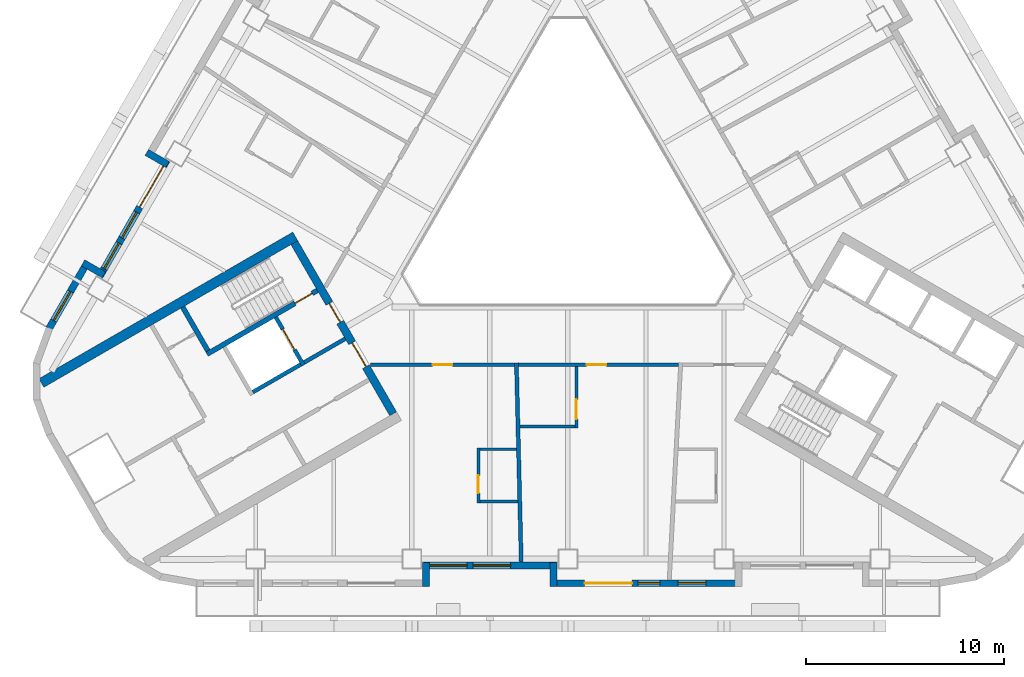
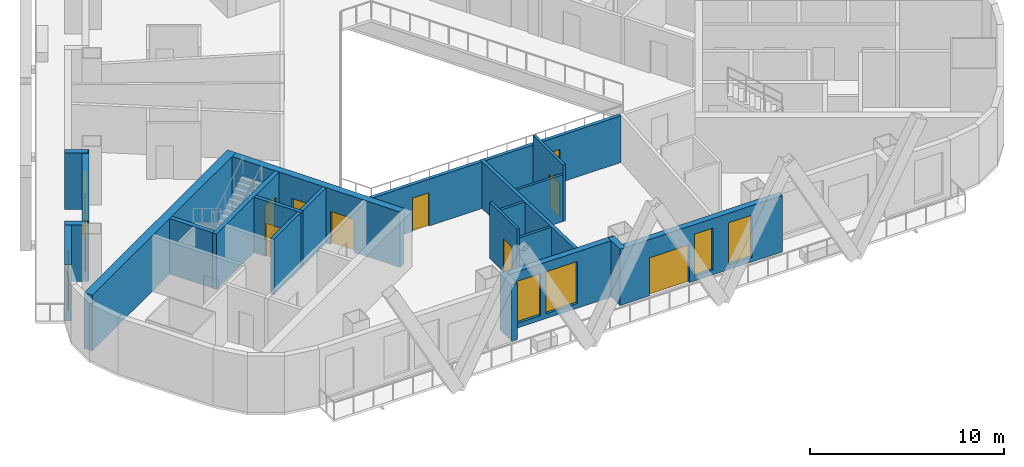
# One storey, part 3 of 13: 23 walls, 10 doors, 7 windows, 17 openings.
"""IFC4 building model written with IfcOpenShell, lengths in metres."""

from ifc_helpers import new_model, si_unit, direction, frame, frame_2d, origin, place, context, subcontext, project, spatial, rectangle, extrude, material, layer, layer_set, type_object, element, fill, save


model = new_model("IFC4")

# Units and contexts
model_context = context("Model", 3, precision=1e-05, world=origin(), true_north=direction((0.0, 1.0)))
body_context = subcontext(model_context, "Body", "Model", "MODEL_VIEW")
ifc_project = project(units=[si_unit("LENGTHUNIT", "METRE"), si_unit("AREAUNIT", "SQUARE_METRE"), si_unit("VOLUMEUNIT", "CUBIC_METRE"), si_unit("PLANEANGLEUNIT", "RADIAN"), si_unit("MASSUNIT", "GRAM", prefix="KILO")], contexts=[model_context])

# Site, building, storey
site_placement = place(None, origin())
site = spatial("IfcSite", under=ifc_project, at=site_placement, CompositionType="ELEMENT")
building_placement = place(site_placement, origin())
building = spatial("IfcBuilding", under=site, at=building_placement, Name="Apuvela Tower Hotel", CompositionType="ELEMENT")
storey_placement = place(building_placement, frame((0.0, 0.0, 83.5)))
storey = spatial("IfcBuildingStorey", under=building, at=storey_placement, Name="L18", CompositionType="ELEMENT", Elevation=83.5)

# Wall, openings, doors
ifc_material_1 = material(Name="Concrete C50/60", Category="concrete")
ifc_layer_1 = layer(ifc_material_1, 0.39990234375)
ifc_layer_set_1 = layer_set([ifc_layer_1], Name="COR-WALL-CORE-400")
wall_type_1 = type_object("IfcWallType", Name="COR-WALL-CORE-400", PredefinedType="SHEAR", material=ifc_layer_set_1)
wall_1_placement = place(storey_placement, frame((-13.844970703125, -2.219970703125, 0.0), z_axis=(0.0, 0.0, 1.0), x_axis=(0.500004234368, -0.866022959057, 0.0)))
wall_1 = element("IfcWall", 1, at=wall_1_placement, inside=storey, type_object=wall_type_1, Name="Core wall SW", PredefinedType="SHEAR", context=body_context, shape_type="SweptSolid", body=[
    extrude(rectangle(XDim=10.0, YDim=0.39990234375, at=frame_2d((5.0, 0.0))), origin(), (0.0, 0.0, 1.0), 3.5),
])
opening_1_placement = place(wall_1_placement, frame((3.550048828125, 0.0, 0.0)))
opening_1 = element("IfcOpeningElement", 2, at=opening_1_placement, cuts=wall_1, Name="Opening W-FD", PredefinedType="OPENING", context=body_context, shape_type="SweptSolid", body=[
    extrude(rectangle(XDim=1.10009765625, YDim=2.10009765625, at=frame_2d((0.550048828125, 1.050048828125))), frame((0.0, 0.2099609375, 0.0), z_axis=(0.0, -1.0, 0.0), x_axis=(1.0, 0.0, 0.0)), (0.0, 0.0, 1.0), 0.419921875),
])
opening_2_placement = place(wall_1_placement, frame((5.85009765625, 0.0, 0.0)))
opening_2 = element("IfcOpeningElement", 3, at=opening_2_placement, cuts=wall_1, Name="Opening W-GD", PredefinedType="OPENING", context=body_context, shape_type="SweptSolid", body=[
    extrude(rectangle(XDim=1.39990234375, YDim=2.10009765625, at=frame_2d((0.699951171875, 1.050048828125))), frame((0.0, 0.2099609375, 0.0), z_axis=(0.0, -1.0, 0.0), x_axis=(1.0, 0.0, 0.0)), (0.0, 0.0, 1.0), 0.419921875),
])
ifc_material_2 = material(Name="Steel fire door, powder coated", Category="steel")
door_type_1 = type_object("IfcDoorType", Name="COR-FD-1100", OperationType="NOTDEFINED", PredefinedType="DOOR", material=ifc_material_2)
door_1_placement = place(opening_1_placement, frame((1.10009765625, 0.0, 0.0), z_axis=(0.0, 0.0, 1.0), x_axis=(-1.0, 0.0, 0.0)))
door_1 = element("IfcDoor", 4, at=door_1_placement, inside=storey, type_object=door_type_1, Name="Firefighting lobby door W-FD", OperationType="SINGLE_SWING_LEFT", OverallHeight=2.10009765625, OverallWidth=1.10009765625, PredefinedType="DOOR", context=body_context, shape_type="SweptSolid", body=[
    extrude(rectangle(XDim=1.10009765625, YDim=2.10009765625, at=frame_2d((0.550048828125, 1.050048828125))), frame((0.0, 0.02490234375, 0.0), z_axis=(0.0, -1.0, 0.0), x_axis=(1.0, 0.0, 0.0)), (0.0, 0.0, 1.0), 0.050048828125),
])
fill(opening_1, door_1)
ifc_material_3 = material(Name="Glazed steel fire door", Category="steel")
door_type_2 = type_object("IfcDoorType", Name="COR-GD-1400", OperationType="DOUBLE_DOOR_SINGLE_SWING", PredefinedType="DOOR", material=ifc_material_3)
door_2_placement = place(opening_2_placement, frame((1.39990234375, 0.0, 0.0), z_axis=(0.0, 0.0, 1.0), x_axis=(-1.0, 0.0, 0.0)))
door_2 = element("IfcDoor", 5, at=door_2_placement, inside=storey, type_object=door_type_2, Name="Lift lobby door W-GD", OperationType="DOUBLE_DOOR_SINGLE_SWING", OverallHeight=2.10009765625, OverallWidth=1.39990234375, PredefinedType="DOOR", context=body_context, shape_type="SweptSolid", body=[
    extrude(rectangle(XDim=1.39990234375, YDim=2.10009765625, at=frame_2d((0.699951171875, 1.050048828125))), frame((0.0, 0.02490234375, 0.0), z_axis=(0.0, -1.0, 0.0), x_axis=(1.0, 0.0, 0.0)), (0.0, 0.0, 1.0), 0.050048828125),
])
fill(opening_2, door_2)

# Wall
ifc_layer_2 = layer(ifc_material_1, 0.5)
ifc_layer_set_2 = layer_set([ifc_layer_2], Name="COR-WALL-CORE-500")
wall_type_2 = type_object("IfcWallType", Name="COR-WALL-CORE-500", PredefinedType="SHEAR", material=ifc_layer_set_2)
wall_2_placement = place(storey_placement, frame((-13.796630859375, -1.9033203125, 0.0), z_axis=(0.0, 0.0, 1.0), x_axis=(-0.866025009528, -0.500000682871, 0.0)))
element("IfcWall", 6, at=wall_2_placement, inside=storey, type_object=wall_type_2, Name="Core wall SW", PredefinedType="SHEAR", context=body_context, shape_type="SweptSolid", body=[
    extrude(rectangle(XDim=14.8369140625, YDim=0.5, at=frame_2d((7.41845703125, 0.0))), origin(), (0.0, 0.0, 1.0), 3.5),
])

# Wall, opening, door
ifc_layer_3 = layer(ifc_material_1, 0.199951171875)
ifc_layer_set_3 = layer_set([ifc_layer_3], Name="COR-WALL-SHAFT-200")
wall_type_3 = type_object("IfcWallType", Name="COR-WALL-SHAFT-200", PredefinedType="SHEAR", material=ifc_layer_set_3)
wall_3_placement = place(storey_placement, frame((-14.783203125, -5.99462890625, 0.0), z_axis=(0.0, 0.0, 1.0), x_axis=(0.49994636267, -0.866056369097, 0.0)))
wall_3 = element("IfcWall", 7, at=wall_3_placement, inside=storey, type_object=wall_type_3, Name="Shaft wall SW", PredefinedType="SHEAR", context=body_context, shape_type="SweptSolid", body=[
    extrude(rectangle(XDim=2.800048828125, YDim=0.199951171875, at=frame_2d((1.39990234375, 0.0))), origin(), (0.0, 0.0, 1.0), 3.5),
])
opening_3_placement = place(wall_3_placement, frame((0.699951171875, 0.0, 0.0)))
opening_3 = element("IfcOpeningElement", 8, at=opening_3_placement, cuts=wall_3, Name="Opening W-LD-FS2", PredefinedType="OPENING", context=body_context, shape_type="SweptSolid", body=[
    extrude(rectangle(XDim=1.199951171875, YDim=2.10009765625, at=frame_2d((0.60009765625, 1.050048828125))), frame((0.0, 0.10986328125, 0.0), z_axis=(0.0, -1.0, 0.0), x_axis=(1.0, 0.0, 0.0)), (0.0, 0.0, 1.0), 0.219970703125),
])
ifc_material_4 = material(Name="Stainless steel lift landing door", Category="steel")
door_type_3 = type_object("IfcDoorType", Name="COR-LD-1200", OperationType="DOUBLE_DOOR_SLIDING", PredefinedType="DOOR", material=ifc_material_4)
door_3_placement = place(opening_3_placement, origin())
door_3 = element("IfcDoor", 9, at=door_3_placement, inside=storey, type_object=door_type_3, Name="Lift landing door W-LD-FS2", OperationType="DOUBLE_DOOR_SLIDING", OverallHeight=2.10009765625, OverallWidth=1.199951171875, PredefinedType="DOOR", context=body_context, shape_type="SweptSolid", body=[
    extrude(rectangle(XDim=1.199951171875, YDim=2.10009765625, at=frame_2d((0.60009765625, 1.050048828125))), frame((0.0, 0.02490234375, 0.0), z_axis=(0.0, -1.0, 0.0), x_axis=(1.0, 0.0, 0.0)), (0.0, 0.0, 1.0), 0.050048828125),
])
fill(opening_3, door_3)

# Walls
wall_4_placement = place(storey_placement, frame((-13.519775390625, -8.383056640625, 0.0), z_axis=(0.0, 0.0, 1.0), x_axis=(-0.866034573852, -0.49998411664, 0.0)))
element("IfcWall", 10, at=wall_4_placement, inside=storey, type_object=wall_type_3, Name="Shaft wall SW", PredefinedType="SHEAR", context=body_context, shape_type="SweptSolid", body=[
    extrude(rectangle(XDim=2.7998046875, YDim=0.199951171875, at=frame_2d((1.39990234375, 0.0))), origin(), (0.0, 0.0, 1.0), 3.5),
])
wall_5_placement = place(storey_placement, frame((-11.26806640625, -7.0830078125, 0.0), z_axis=(0.0, 0.0, 1.0), x_axis=(-0.866050077142, -0.499957262057, 0.0)))
element("IfcWall", 11, at=wall_5_placement, inside=storey, type_object=wall_type_3, Name="Shaft wall SW", PredefinedType="SHEAR", context=body_context, shape_type="SweptSolid", body=[
    extrude(rectangle(XDim=2.400146484375, YDim=0.199951171875, at=frame_2d((1.2001953125, 0.0))), origin(), (0.0, 0.0, 1.0), 3.5),
])

# Wall, opening, door
ifc_layer_4 = layer(ifc_material_1, 0.25)
ifc_layer_set_4 = layer_set([ifc_layer_4], Name="COR-WALL-STAIR-250")
wall_type_4 = type_object("IfcWallType", Name="COR-WALL-STAIR-250", PredefinedType="SHEAR", material=ifc_layer_set_4)
wall_6_placement = place(storey_placement, frame((-12.6806640625, -4.636474609375, 0.0), z_axis=(0.0, 0.0, 1.0), x_axis=(-0.866021702275, -0.500006411147, 0.0)))
wall_6 = element("IfcWall", 12, at=wall_6_placement, inside=storey, type_object=wall_type_4, Name="Stair wall SW", PredefinedType="SHEAR", context=body_context, shape_type="SweptSolid", body=[
    extrude(rectangle(XDim=6.4501953125, YDim=0.25, at=frame_2d((3.22509765625, 0.0))), origin(), (0.0, 0.0, 1.0), 3.5),
])
opening_4_placement = place(wall_6_placement, frame((0.300048828125, 0.0, 0.0)))
opening_4 = element("IfcOpeningElement", 13, at=opening_4_placement, cuts=wall_6, Name="Opening W-SD", PredefinedType="OPENING", context=body_context, shape_type="SweptSolid", body=[
    extrude(rectangle(XDim=1.0, YDim=2.10009765625, at=frame_2d((0.5, 1.050048828125))), frame((0.0, 0.135009765625, 0.0), z_axis=(0.0, -1.0, 0.0), x_axis=(1.0, 0.0, 0.0)), (0.0, 0.0, 1.0), 0.27001953125),
])
door_type_4 = type_object("IfcDoorType", Name="COR-SD-1000", OperationType="NOTDEFINED", PredefinedType="DOOR", material=ifc_material_2)
door_4_placement = place(opening_4_placement, frame((1.0, 0.0, 0.0), z_axis=(0.0, 0.0, 1.0), x_axis=(-1.0, 0.0, 0.0)))
door_4 = element("IfcDoor", 14, at=door_4_placement, inside=storey, type_object=door_type_4, Name="Stair door W-SD", OperationType="SINGLE_SWING_LEFT", OverallHeight=2.10009765625, OverallWidth=1.0, PredefinedType="DOOR", context=body_context, shape_type="SweptSolid", body=[
    extrude(rectangle(XDim=1.0, YDim=2.10009765625, at=frame_2d((0.5, 1.050048828125))), frame((0.0, 0.02490234375, 0.0), z_axis=(0.0, -1.0, 0.0), x_axis=(1.0, 0.0, 0.0)), (0.0, 0.0, 1.0), 0.050048828125),
])
fill(opening_4, door_4)

# Walls
wall_7_placement = place(storey_placement, frame((-19.49560546875, -5.482421875, 0.0), z_axis=(0.0, 0.0, 1.0), x_axis=(0.499990435942, -0.866030925526, 0.0)))
element("IfcWall", 15, at=wall_7_placement, inside=storey, type_object=wall_type_4, Name="Stair wall SW", PredefinedType="SHEAR", context=body_context, shape_type="SweptSolid", body=[
    extrude(rectangle(XDim=2.5498046875, YDim=0.25, at=frame_2d((1.27490234375, 0.0))), origin(), (0.0, 0.0, 1.0), 3.5),
])
ifc_material_5 = material(Name="Concrete C40/50, dark pigmented precast panel", Category="concrete")
ifc_layer_5 = layer(ifc_material_5, 0.35009765625)
ifc_layer_set_5 = layer_set([ifc_layer_5], Name="ENV-WALL-350")
wall_type_5 = type_object("IfcWallType", Name="ENV-WALL-350", PredefinedType="SOLIDWALL", material=ifc_layer_set_5)
wall_8_placement = place(storey_placement, frame((-21.3125, 2.345703125, 0.0), z_axis=(0.0, 0.0, 1.0), x_axis=(0.866005645448, -0.500034220881, 0.0)))
element("IfcWall", 16, at=wall_8_placement, inside=storey, type_object=wall_type_5, Name="External wall L18-06", PredefinedType="SOLIDWALL", context=body_context, shape_type="SweptSolid", body=[
    extrude(rectangle(XDim=1.22021484375, YDim=0.35009765625, at=frame_2d((0.610107421875, 0.0))), origin(), (0.0, 0.0, 1.0), 3.550048828125),
])

# Wall, openings, door, windows
wall_9_placement = place(storey_placement, frame((-20.30908203125, 1.93359375, 0.0), z_axis=(0.0, 0.0, 1.0), x_axis=(-0.499992114976, -0.866029956157, 0.0)))
wall_9 = element("IfcWall", 17, at=wall_9_placement, inside=storey, type_object=wall_type_5, Name="External wall L18-07", PredefinedType="SOLIDWALL", context=body_context, shape_type="SweptSolid", body=[
    extrude(rectangle(XDim=6.73974609375, YDim=0.35009765625, at=frame_2d((3.369873046875, 0.0))), origin(), (0.0, 0.0, 1.0), 3.550048828125),
])
opening_5_placement = place(wall_9_placement, frame((0.320068359375, 0.0, 0.0)))
opening_5 = element("IfcOpeningElement", 18, at=opening_5_placement, cuts=wall_9, Name="Opening BD24", PredefinedType="OPENING", context=body_context, shape_type="SweptSolid", body=[
    extrude(rectangle(XDim=2.39990234375, YDim=2.39990234375, at=frame_2d((1.199951171875, 1.199951171875))), frame((0.0, 0.18505859375, 0.0), z_axis=(0.0, -1.0, 0.0), x_axis=(1.0, 0.0, 0.0)), (0.0, 0.0, 1.0), 0.3701171875),
])
opening_6_placement = place(wall_9_placement, frame((3.02001953125, 0.0, 0.300048828125)))
opening_6 = element("IfcOpeningElement", 19, at=opening_6_placement, cuts=wall_9, Name="Opening WN15", PredefinedType="OPENING", context=body_context, shape_type="SweptSolid", body=[
    extrude(rectangle(XDim=1.5, YDim=2.64990234375, at=frame_2d((0.75, 1.324951171875))), frame((0.0, 0.18505859375, 0.0), z_axis=(0.0, -1.0, 0.0), x_axis=(1.0, 0.0, 0.0)), (0.0, 0.0, 1.0), 0.3701171875),
])
opening_7_placement = place(wall_9_placement, frame((4.820068359375, 0.0, 0.300048828125)))
opening_7 = element("IfcOpeningElement", 20, at=opening_7_placement, cuts=wall_9, Name="Opening WN15", PredefinedType="OPENING", context=body_context, shape_type="SweptSolid", body=[
    extrude(rectangle(XDim=1.5, YDim=2.64990234375, at=frame_2d((0.75, 1.324951171875))), frame((0.0, 0.18505859375, 0.0), z_axis=(0.0, -1.0, 0.0), x_axis=(1.0, 0.0, 0.0)), (0.0, 0.0, 1.0), 0.3701171875),
])
ifc_material_6 = material(Name="Aluminium 6063-T6, dark bronze anodised frame with dark tinted laminated glass", Category="aluminium")
door_type_5 = type_object("IfcDoorType", Name="ENV-DOOR-BALCONY-2400x2400", OperationType="SLIDING_TO_LEFT", PredefinedType="DOOR", material=ifc_material_6)
door_5_placement = place(opening_5_placement, frame((2.39990234375, 0.0, 0.0), z_axis=(0.0, 0.0, 1.0), x_axis=(-1.0, 0.0, 0.0)))
door_5 = element("IfcDoor", 21, at=door_5_placement, inside=storey, type_object=door_type_5, Name="Balcony door BD24", OperationType="SLIDING_TO_LEFT", OverallHeight=2.39990234375, OverallWidth=2.39990234375, PredefinedType="DOOR", context=body_context, shape_type="SweptSolid", body=[
    extrude(rectangle(XDim=2.39990234375, YDim=2.39990234375, at=frame_2d((1.199951171875, 1.199951171875))), frame((0.0, 0.02490234375, 0.0), z_axis=(0.0, -1.0, 0.0), x_axis=(1.0, 0.0, 0.0)), (0.0, 0.0, 1.0), 0.050048828125),
])
fill(opening_5, door_5)
ifc_material_7 = material(Name="Glass, dark tinted laminated insulated glazing unit", Category="glass")
window_type_1 = type_object("IfcWindowType", Name="ENV-WIN-1500x2650", PartitioningType="SINGLE_PANEL", PredefinedType="WINDOW", material=ifc_material_7)
window_1_placement = place(opening_6_placement, origin())
window_1 = element("IfcWindow", 22, at=window_1_placement, inside=storey, type_object=window_type_1, Name="Window WN15", OverallHeight=2.64990234375, OverallWidth=1.5, PartitioningType="SINGLE_PANEL", PredefinedType="WINDOW", context=body_context, shape_type="SweptSolid", body=[
    extrude(rectangle(XDim=1.5, YDim=2.64990234375, at=frame_2d((0.75, 1.324951171875))), frame((0.0, 0.030029296875, 0.0), z_axis=(0.0, -1.0, 0.0), x_axis=(1.0, 0.0, 0.0)), (0.0, 0.0, 1.0), 0.06005859375),
])
fill(opening_6, window_1)
window_2_placement = place(opening_7_placement, origin())
window_2 = element("IfcWindow", 23, at=window_2_placement, inside=storey, type_object=window_type_1, Name="Window WN15", OverallHeight=2.64990234375, OverallWidth=1.5, PartitioningType="SINGLE_PANEL", PredefinedType="WINDOW", context=body_context, shape_type="SweptSolid", body=[
    extrude(rectangle(XDim=1.5, YDim=2.64990234375, at=frame_2d((0.75, 1.324951171875))), frame((0.0, 0.030029296875, 0.0), z_axis=(0.0, -1.0, 0.0), x_axis=(1.0, 0.0, 0.0)), (0.0, 0.0, 1.0), 0.06005859375),
])
fill(opening_7, window_2)

# Wall
wall_10_placement = place(storey_placement, frame((-23.48095703125, -3.85009765625, 0.0), z_axis=(0.0, 0.0, 1.0), x_axis=(-0.866092288191, 0.499884134912, 0.0)))
element("IfcWall", 24, at=wall_10_placement, inside=storey, type_object=wall_type_5, Name="External wall L18-08", PredefinedType="SOLIDWALL", context=body_context, shape_type="SweptSolid", body=[
    extrude(rectangle(XDim=1.219970703125, YDim=0.35009765625, at=frame_2d((0.60986328125, 0.0))), origin(), (0.0, 0.0, 1.0), 3.550048828125),
])

# Wall, opening, window
wall_11_placement = place(storey_placement, frame((-24.298583984375, -3.17626953125, 0.0), z_axis=(0.0, 0.0, 1.0), x_axis=(-0.500028278809, -0.866009076391, 0.0)))
wall_11 = element("IfcWall", 25, at=wall_11_placement, inside=storey, type_object=wall_type_5, Name="External wall L18-09", PredefinedType="SOLIDWALL", context=body_context, shape_type="SweptSolid", body=[
    extrude(rectangle(XDim=3.915771484375, YDim=0.35009765625, at=frame_2d((1.9580078125, 0.0))), origin(), (0.0, 0.0, 1.0), 3.550048828125),
])
opening_8_placement = place(wall_11_placement, frame((1.750244140625, 0.0, 0.300048828125)))
opening_8 = element("IfcOpeningElement", 26, at=opening_8_placement, cuts=wall_11, Name="Opening WN17", PredefinedType="OPENING", context=body_context, shape_type="SweptSolid", body=[
    extrude(rectangle(XDim=1.699951171875, YDim=2.64990234375, at=frame_2d((0.85009765625, 1.324951171875))), frame((0.0, 0.18505859375, 0.0), z_axis=(0.0, -1.0, 0.0), x_axis=(1.0, 0.0, 0.0)), (0.0, 0.0, 1.0), 0.3701171875),
])
window_type_2 = type_object("IfcWindowType", Name="ENV-WIN-1700x2650", PartitioningType="SINGLE_PANEL", PredefinedType="WINDOW", material=ifc_material_7)
window_3_placement = place(opening_8_placement, origin())
window_3 = element("IfcWindow", 27, at=window_3_placement, inside=storey, type_object=window_type_2, Name="Window WN17", OverallHeight=2.64990234375, OverallWidth=1.699951171875, PartitioningType="SINGLE_PANEL", PredefinedType="WINDOW", context=body_context, shape_type="SweptSolid", body=[
    extrude(rectangle(XDim=1.699951171875, YDim=2.64990234375, at=frame_2d((0.85009765625, 1.324951171875))), frame((0.0, 0.030029296875, 0.0), z_axis=(0.0, -1.0, 0.0), x_axis=(1.0, 0.0, 0.0)), (0.0, 0.0, 1.0), 0.06005859375),
])
fill(opening_8, window_3)

# Wall
wall_12_placement = place(storey_placement, frame((-7.175048828125, -19.6298828125, 0.0), z_axis=(0.0, 0.0, 1.0), x_axis=(0.0, 1.0, 0.0)))
element("IfcWall", 28, at=wall_12_placement, inside=storey, type_object=wall_type_5, Name="External wall L18-18", PredefinedType="SOLIDWALL", context=body_context, shape_type="SweptSolid", body=[
    extrude(rectangle(XDim=1.219970703125, YDim=0.35009765625, at=frame_2d((0.60986328125, 0.0))), origin(), (0.0, 0.0, 1.0), 3.550048828125),
])

# Wall, openings, windows
wall_13_placement = place(storey_placement, frame((-7.320068359375, -18.554931640625, 0.0), z_axis=(0.0, 0.0, 1.0), x_axis=(1.0, 0.0, 0.0)))
wall_13 = element("IfcWall", 29, at=wall_13_placement, inside=storey, type_object=wall_type_5, Name="External wall L18-19", PredefinedType="SOLIDWALL", context=body_context, shape_type="SweptSolid", body=[
    extrude(rectangle(XDim=6.739990234375, YDim=0.35009765625, at=frame_2d((3.3701171875, 0.0))), origin(), (0.0, 0.0, 1.0), 3.550048828125),
])
opening_9_placement = place(wall_13_placement, frame((0.3203125, 0.0, 0.300048828125)))
opening_9 = element("IfcOpeningElement", 30, at=opening_9_placement, cuts=wall_13, Name="Opening WN19", PredefinedType="OPENING", context=body_context, shape_type="SweptSolid", body=[
    extrude(rectangle(XDim=1.89990234375, YDim=2.64990234375, at=frame_2d((0.949951171875, 1.324951171875))), frame((0.0, 0.18505859375, 0.0), z_axis=(0.0, -1.0, 0.0), x_axis=(1.0, 0.0, 0.0)), (0.0, 0.0, 1.0), 0.3701171875),
])
opening_10_placement = place(wall_13_placement, frame((2.5205078125, 0.0, 0.300048828125)))
opening_10 = element("IfcOpeningElement", 31, at=opening_10_placement, cuts=wall_13, Name="Opening WN19", PredefinedType="OPENING", context=body_context, shape_type="SweptSolid", body=[
    extrude(rectangle(XDim=1.89990234375, YDim=2.64990234375, at=frame_2d((0.949951171875, 1.324951171875))), frame((0.0, 0.18505859375, 0.0), z_axis=(0.0, -1.0, 0.0), x_axis=(1.0, 0.0, 0.0)), (0.0, 0.0, 1.0), 0.3701171875),
])
window_type_3 = type_object("IfcWindowType", Name="ENV-WIN-1900x2650", PartitioningType="SINGLE_PANEL", PredefinedType="WINDOW", material=ifc_material_7)
window_4_placement = place(opening_9_placement, origin())
window_4 = element("IfcWindow", 32, at=window_4_placement, inside=storey, type_object=window_type_3, Name="Window WN19", OverallHeight=2.64990234375, OverallWidth=1.89990234375, PartitioningType="SINGLE_PANEL", PredefinedType="WINDOW", context=body_context, shape_type="SweptSolid", body=[
    extrude(rectangle(XDim=1.89990234375, YDim=2.64990234375, at=frame_2d((0.949951171875, 1.324951171875))), frame((0.0, 0.030029296875, 0.0), z_axis=(0.0, -1.0, 0.0), x_axis=(1.0, 0.0, 0.0)), (0.0, 0.0, 1.0), 0.06005859375),
])
fill(opening_9, window_4)
window_5_placement = place(opening_10_placement, origin())
window_5 = element("IfcWindow", 33, at=window_5_placement, inside=storey, type_object=window_type_3, Name="Window WN19", OverallHeight=2.64990234375, OverallWidth=1.89990234375, PartitioningType="SINGLE_PANEL", PredefinedType="WINDOW", context=body_context, shape_type="SweptSolid", body=[
    extrude(rectangle(XDim=1.89990234375, YDim=2.64990234375, at=frame_2d((0.949951171875, 1.324951171875))), frame((0.0, 0.030029296875, 0.0), z_axis=(0.0, -1.0, 0.0), x_axis=(1.0, 0.0, 0.0)), (0.0, 0.0, 1.0), 0.06005859375),
])
fill(opening_10, window_5)

# Wall
wall_14_placement = place(storey_placement, frame((-0.72509765625, -18.409912109375, 0.0), z_axis=(0.0, 0.0, 1.0), x_axis=(0.0, -1.0, 0.0)))
element("IfcWall", 34, at=wall_14_placement, inside=storey, type_object=wall_type_5, Name="External wall L18-20", PredefinedType="SOLIDWALL", context=body_context, shape_type="SweptSolid", body=[
    extrude(rectangle(XDim=1.219970703125, YDim=0.35009765625, at=frame_2d((0.60986328125, 0.0))), origin(), (0.0, 0.0, 1.0), 3.550048828125),
])

# Wall, openings, door, windows
wall_15_placement = place(storey_placement, frame((-0.89990234375, -19.455078125, 0.0), z_axis=(0.0, 0.0, 1.0), x_axis=(1.0, 0.0, 0.0)))
wall_15 = element("IfcWall", 35, at=wall_15_placement, inside=storey, type_object=wall_type_5, Name="External wall L18-21", PredefinedType="SOLIDWALL", context=body_context, shape_type="SweptSolid", body=[
    extrude(rectangle(XDim=9.699951171875, YDim=0.35009765625, at=frame_2d((4.85009765625, 0.0))), origin(), (0.0, 0.0, 1.0), 3.550048828125),
])
opening_11_placement = place(wall_15_placement, frame((1.75, 0.0, 0.0)))
opening_11 = element("IfcOpeningElement", 36, at=opening_11_placement, cuts=wall_15, Name="Opening BD24", PredefinedType="OPENING", context=body_context, shape_type="SweptSolid", body=[
    extrude(rectangle(XDim=2.39990234375, YDim=2.39990234375, at=frame_2d((1.199951171875, 1.199951171875))), frame((0.0, 0.18505859375, 0.0), z_axis=(0.0, -1.0, 0.0), x_axis=(1.0, 0.0, 0.0)), (0.0, 0.0, 1.0), 0.3701171875),
])
opening_12_placement = place(wall_15_placement, frame((4.449951171875, 0.0, 0.300048828125)))
opening_12 = element("IfcOpeningElement", 37, at=opening_12_placement, cuts=wall_15, Name="Opening WN11", PredefinedType="OPENING", context=body_context, shape_type="SweptSolid", body=[
    extrude(rectangle(XDim=1.10009765625, YDim=2.64990234375, at=frame_2d((0.550048828125, 1.324951171875))), frame((0.0, 0.18505859375, 0.0), z_axis=(0.0, -1.0, 0.0), x_axis=(1.0, 0.0, 0.0)), (0.0, 0.0, 1.0), 0.3701171875),
])
opening_13_placement = place(wall_15_placement, frame((6.48046875, 0.0, 0.300048828125)))
opening_13 = element("IfcOpeningElement", 38, at=opening_13_placement, cuts=wall_15, Name="Opening WN14", PredefinedType="OPENING", context=body_context, shape_type="SweptSolid", body=[
    extrude(rectangle(XDim=1.39990234375, YDim=2.64990234375, at=frame_2d((0.699951171875, 1.324951171875))), frame((0.0, 0.18505859375, 0.0), z_axis=(0.0, -1.0, 0.0), x_axis=(1.0, 0.0, 0.0)), (0.0, 0.0, 1.0), 0.3701171875),
])
door_6_placement = place(opening_11_placement, frame((2.39990234375, 0.0, 0.0), z_axis=(0.0, 0.0, 1.0), x_axis=(-1.0, 0.0, 0.0)))
door_6 = element("IfcDoor", 39, at=door_6_placement, inside=storey, type_object=door_type_5, Name="Balcony door BD24", OperationType="SLIDING_TO_LEFT", OverallHeight=2.39990234375, OverallWidth=2.39990234375, PredefinedType="DOOR", context=body_context, shape_type="SweptSolid", body=[
    extrude(rectangle(XDim=2.39990234375, YDim=2.39990234375, at=frame_2d((1.199951171875, 1.199951171875))), frame((0.0, 0.02490234375, 0.0), z_axis=(0.0, -1.0, 0.0), x_axis=(1.0, 0.0, 0.0)), (0.0, 0.0, 1.0), 0.050048828125),
])
fill(opening_11, door_6)
window_type_4 = type_object("IfcWindowType", Name="ENV-WIN-1100x2650", PartitioningType="SINGLE_PANEL", PredefinedType="WINDOW", material=ifc_material_7)
window_6_placement = place(opening_12_placement, origin())
window_6 = element("IfcWindow", 40, at=window_6_placement, inside=storey, type_object=window_type_4, Name="Window WN11", OverallHeight=2.64990234375, OverallWidth=1.10009765625, PartitioningType="SINGLE_PANEL", PredefinedType="WINDOW", context=body_context, shape_type="SweptSolid", body=[
    extrude(rectangle(XDim=1.10009765625, YDim=2.64990234375, at=frame_2d((0.550048828125, 1.324951171875))), frame((0.0, 0.030029296875, 0.0), z_axis=(0.0, -1.0, 0.0), x_axis=(1.0, 0.0, 0.0)), (0.0, 0.0, 1.0), 0.06005859375),
])
fill(opening_12, window_6)
window_type_5 = type_object("IfcWindowType", Name="ENV-WIN-1400x2650", PartitioningType="SINGLE_PANEL", PredefinedType="WINDOW", material=ifc_material_7)
window_7_placement = place(opening_13_placement, origin())
window_7 = element("IfcWindow", 41, at=window_7_placement, inside=storey, type_object=window_type_5, Name="Window WN14", OverallHeight=2.64990234375, OverallWidth=1.39990234375, PartitioningType="SINGLE_PANEL", PredefinedType="WINDOW", context=body_context, shape_type="SweptSolid", body=[
    extrude(rectangle(XDim=1.39990234375, YDim=2.64990234375, at=frame_2d((0.699951171875, 1.324951171875))), frame((0.0, 0.030029296875, 0.0), z_axis=(0.0, -1.0, 0.0), x_axis=(1.0, 0.0, 0.0)), (0.0, 0.0, 1.0), 0.06005859375),
])
fill(opening_13, window_7)

# Wall
ifc_material_8 = material(Name="Gypsum board partition on twin steel stud", Category="steel")
ifc_layer_6 = layer(ifc_material_8, 0.199951171875)
ifc_layer_set_6 = layer_set([ifc_layer_6], Name="GST-PW1")
wall_type_6 = type_object("IfcWallType", Name="GST-PW1", PredefinedType="PARTITIONING", material=ifc_layer_set_6)
wall_16_placement = place(storey_placement, frame((-2.36181640625, -18.3798828125, 0.0), z_axis=(0.0, 0.0, 1.0), x_axis=(-0.024092600153, 0.999709731181, 0.0)))
element("IfcWall", 42, at=wall_16_placement, inside=storey, type_object=wall_type_6, Name="L18 partition 01", PredefinedType="PARTITIONING", context=body_context, shape_type="SweptSolid", body=[
    extrude(rectangle(XDim=10.082763671875, YDim=0.199951171875, at=frame_2d((5.04150390625, 0.0))), origin(), (0.0, 0.0, 1.0), 2.9599609375),
])

# Wall, opening, door
ifc_material_9 = material(Name="Gypsum board corridor wall on twin steel stud, acoustic", Category="steel")
ifc_layer_7 = layer(ifc_material_9, 0.199951171875)
ifc_layer_set_7 = layer_set([ifc_layer_7], Name="GST-PW2")
wall_type_7 = type_object("IfcWallType", Name="GST-PW2", PredefinedType="PARTITIONING", material=ifc_layer_set_7)
wall_17_placement = place(storey_placement, frame((-2.702392578125, -8.39990234375, 0.0), z_axis=(0.0, 0.0, 1.0), x_axis=(-1.0, 0.0, 0.0)))
wall_17 = element("IfcWall", 43, at=wall_17_placement, inside=storey, type_object=wall_type_7, Name="L18 partition 08", PredefinedType="PARTITIONING", context=body_context, shape_type="SweptSolid", body=[
    extrude(rectangle(XDim=7.285888671875, YDim=0.199951171875, at=frame_2d((3.64306640625, 0.0))), origin(), (0.0, 0.0, 1.0), 2.949951171875),
])
opening_14_placement = place(wall_17_placement, frame((3.142822265625, 0.0, 0.0)))
opening_14 = element("IfcOpeningElement", 44, at=opening_14_placement, cuts=wall_17, Name="Opening GD05-02", PredefinedType="OPENING", context=body_context, shape_type="SweptSolid", body=[
    extrude(rectangle(XDim=1.0, YDim=2.10009765625, at=frame_2d((0.5, 1.050048828125))), frame((0.0, 0.10986328125, 0.0), z_axis=(0.0, -1.0, 0.0), x_axis=(1.0, 0.0, 0.0)), (0.0, 0.0, 1.0), 0.219970703125),
])
ifc_material_10 = material(Name="Timber door leaf in steel frame", Category="steel")
door_type_6 = type_object("IfcDoorType", Name="GST-D1", OperationType="NOTDEFINED", PredefinedType="DOOR", material=ifc_material_10)
door_7_placement = place(opening_14_placement, origin())
door_7 = element("IfcDoor", 45, at=door_7_placement, inside=storey, type_object=door_type_6, Name="Door L18-02", OperationType="SINGLE_SWING_LEFT", OverallHeight=2.10009765625, OverallWidth=1.0, PredefinedType="DOOR", context=body_context, shape_type="SweptSolid", body=[
    extrude(rectangle(XDim=1.0, YDim=2.10009765625, at=frame_2d((0.5, 1.050048828125))), frame((0.0, 0.02490234375, 0.0), z_axis=(0.0, -1.0, 0.0), x_axis=(1.0, 0.0, 0.0)), (0.0, 0.0, 1.0), 0.050048828125),
])
fill(opening_14, door_7)

wall_18_placement = place(storey_placement, frame((5.60498046875, -8.39990234375, 0.0), z_axis=(0.0, 0.0, 1.0), x_axis=(-1.0, 0.0, 0.0)))
wall_18 = element("IfcWall", 46, at=wall_18_placement, inside=storey, type_object=wall_type_7, Name="L18 partition 12", PredefinedType="PARTITIONING", context=body_context, shape_type="SweptSolid", body=[
    extrude(rectangle(XDim=8.107421875, YDim=0.199951171875, at=frame_2d((4.0537109375, 0.0))), origin(), (0.0, 0.0, 1.0), 2.949951171875),
])
opening_15_placement = place(wall_18_placement, frame((3.655029296875, 0.0, 0.0)))
opening_15 = element("IfcOpeningElement", 47, at=opening_15_placement, cuts=wall_18, Name="Opening GD05-04", PredefinedType="OPENING", context=body_context, shape_type="SweptSolid", body=[
    extrude(rectangle(XDim=1.0, YDim=2.10009765625, at=frame_2d((0.5, 1.050048828125))), frame((0.0, 0.10986328125, 0.0), z_axis=(0.0, -1.0, 0.0), x_axis=(1.0, 0.0, 0.0)), (0.0, 0.0, 1.0), 0.219970703125),
])
door_8_placement = place(opening_15_placement, origin())
door_8 = element("IfcDoor", 48, at=door_8_placement, inside=storey, type_object=door_type_6, Name="Door L18-04", OperationType="SINGLE_SWING_LEFT", OverallHeight=2.10009765625, OverallWidth=1.0, PredefinedType="DOOR", context=body_context, shape_type="SweptSolid", body=[
    extrude(rectangle(XDim=1.0, YDim=2.10009765625, at=frame_2d((0.5, 1.050048828125))), frame((0.0, 0.02490234375, 0.0), z_axis=(0.0, -1.0, 0.0), x_axis=(1.0, 0.0, 0.0)), (0.0, 0.0, 1.0), 0.050048828125),
])
fill(opening_15, door_8)

ifc_material_11 = material(Name="Moisture-resistant gypsum board wet wall on steel stud", Category="steel")
ifc_layer_8 = layer(ifc_material_11, 0.14990234375)
ifc_layer_set_8 = layer_set([ifc_layer_8], Name="GST-PW3")
wall_type_8 = type_object("IfcWallType", Name="GST-PW3", PredefinedType="PARTITIONING", material=ifc_layer_set_8)
wall_19_placement = place(storey_placement, frame((-4.526123046875, -12.60009765625, 0.0), z_axis=(0.0, 0.0, 1.0), x_axis=(0.0, -1.0, 0.0)))
wall_19 = element("IfcWall", 49, at=wall_19_placement, inside=storey, type_object=wall_type_8, Name="L18 partition 09", PredefinedType="PARTITIONING", context=body_context, shape_type="SweptSolid", body=[
    extrude(rectangle(XDim=2.7998046875, YDim=0.14990234375, at=frame_2d((1.39990234375, 0.0))), origin(), (0.0, 0.0, 1.0), 3.550048828125),
])
opening_16_placement = place(wall_19_placement, frame((1.39990234375, 0.0, 0.0)))
opening_16 = element("IfcOpeningElement", 50, at=opening_16_placement, cuts=wall_19, Name="Opening GD05-01", PredefinedType="OPENING", context=body_context, shape_type="SweptSolid", body=[
    extrude(rectangle(XDim=0.89990234375, YDim=2.10009765625, at=frame_2d((0.449951171875, 1.050048828125))), frame((0.0, 0.0849609375, 0.0), z_axis=(0.0, -1.0, 0.0), x_axis=(1.0, 0.0, 0.0)), (0.0, 0.0, 1.0), 0.169921875),
])
door_type_7 = type_object("IfcDoorType", Name="GST-D2", OperationType="NOTDEFINED", PredefinedType="DOOR", material=ifc_material_10)
door_9_placement = place(opening_16_placement, origin())
door_9 = element("IfcDoor", 51, at=door_9_placement, inside=storey, type_object=door_type_7, Name="Door L18-01", OperationType="SINGLE_SWING_RIGHT", OverallHeight=2.10009765625, OverallWidth=0.89990234375, PredefinedType="DOOR", context=body_context, shape_type="SweptSolid", body=[
    extrude(rectangle(XDim=0.89990234375, YDim=2.10009765625, at=frame_2d((0.449951171875, 1.050048828125))), frame((0.0, 0.02490234375, 0.0), z_axis=(0.0, -1.0, 0.0), x_axis=(1.0, 0.0, 0.0)), (0.0, 0.0, 1.0), 0.050048828125),
])
fill(opening_16, door_9)

# Walls
wall_20_placement = place(storey_placement, frame((-4.451171875, -15.324951171875, 0.0), z_axis=(0.0, 0.0, 1.0), x_axis=(1.0, 0.0, 0.0)))
element("IfcWall", 52, at=wall_20_placement, inside=storey, type_object=wall_type_8, Name="L18 partition 10", PredefinedType="PARTITIONING", context=body_context, shape_type="SweptSolid", body=[
    extrude(rectangle(XDim=1.915771484375, YDim=0.14990234375, at=frame_2d((0.9580078125, 0.0))), origin(), (0.0, 0.0, 1.0), 2.949951171875),
])
wall_21_placement = place(storey_placement, frame((-4.451171875, -12.675048828125, 0.0), z_axis=(0.0, 0.0, 1.0), x_axis=(1.0, 0.0, 0.0)))
element("IfcWall", 53, at=wall_21_placement, inside=storey, type_object=wall_type_8, Name="L18 partition 11", PredefinedType="PARTITIONING", context=body_context, shape_type="SweptSolid", body=[
    extrude(rectangle(XDim=1.851806640625, YDim=0.14990234375, at=frame_2d((0.92578125, 0.0))), origin(), (0.0, 0.0, 1.0), 2.949951171875),
])

# Wall, opening, door
wall_22_placement = place(storey_placement, frame((0.425048828125, -11.60009765625, 0.0), z_axis=(0.0, 0.0, 1.0), x_axis=(0.0, 1.0, 0.0)))
wall_22 = element("IfcWall", 54, at=wall_22_placement, inside=storey, type_object=wall_type_8, Name="L18 partition 13", PredefinedType="PARTITIONING", context=body_context, shape_type="SweptSolid", body=[
    extrude(rectangle(XDim=3.10009765625, YDim=0.14990234375, at=frame_2d((1.550048828125, 0.0))), origin(), (0.0, 0.0, 1.0), 3.550048828125),
])
opening_17_placement = place(wall_22_placement, frame((0.449951171875, 0.0, 0.0)))
opening_17 = element("IfcOpeningElement", 55, at=opening_17_placement, cuts=wall_22, Name="Opening GD05-03", PredefinedType="OPENING", context=body_context, shape_type="SweptSolid", body=[
    extrude(rectangle(XDim=1.0, YDim=2.10009765625, at=frame_2d((0.5, 1.050048828125))), frame((0.0, 0.0849609375, 0.0), z_axis=(0.0, -1.0, 0.0), x_axis=(1.0, 0.0, 0.0)), (0.0, 0.0, 1.0), 0.169921875),
])
door_10_placement = place(opening_17_placement, origin())
door_10 = element("IfcDoor", 56, at=door_10_placement, inside=storey, type_object=door_type_6, Name="Door L18-03", OperationType="SINGLE_SWING_LEFT", OverallHeight=2.10009765625, OverallWidth=1.0, PredefinedType="DOOR", context=body_context, shape_type="SweptSolid", body=[
    extrude(rectangle(XDim=1.0, YDim=2.10009765625, at=frame_2d((0.5, 1.050048828125))), frame((0.0, 0.02490234375, 0.0), z_axis=(0.0, -1.0, 0.0), x_axis=(1.0, 0.0, 0.0)), (0.0, 0.0, 1.0), 0.050048828125),
])
fill(opening_17, door_10)

# Wall
wall_23_placement = place(storey_placement, frame((-2.427001953125, -11.52490234375, 0.0), z_axis=(0.0, 0.0, 1.0), x_axis=(1.0, 0.0, 0.0)))
element("IfcWall", 57, at=wall_23_placement, inside=storey, type_object=wall_type_8, Name="L18 partition 14", PredefinedType="PARTITIONING", context=body_context, shape_type="SweptSolid", body=[
    extrude(rectangle(XDim=2.777099609375, YDim=0.14990234375, at=frame_2d((1.388671875, 0.0))), origin(), (0.0, 0.0, 1.0), 2.949951171875),
])

save(model, "model.ifc")
